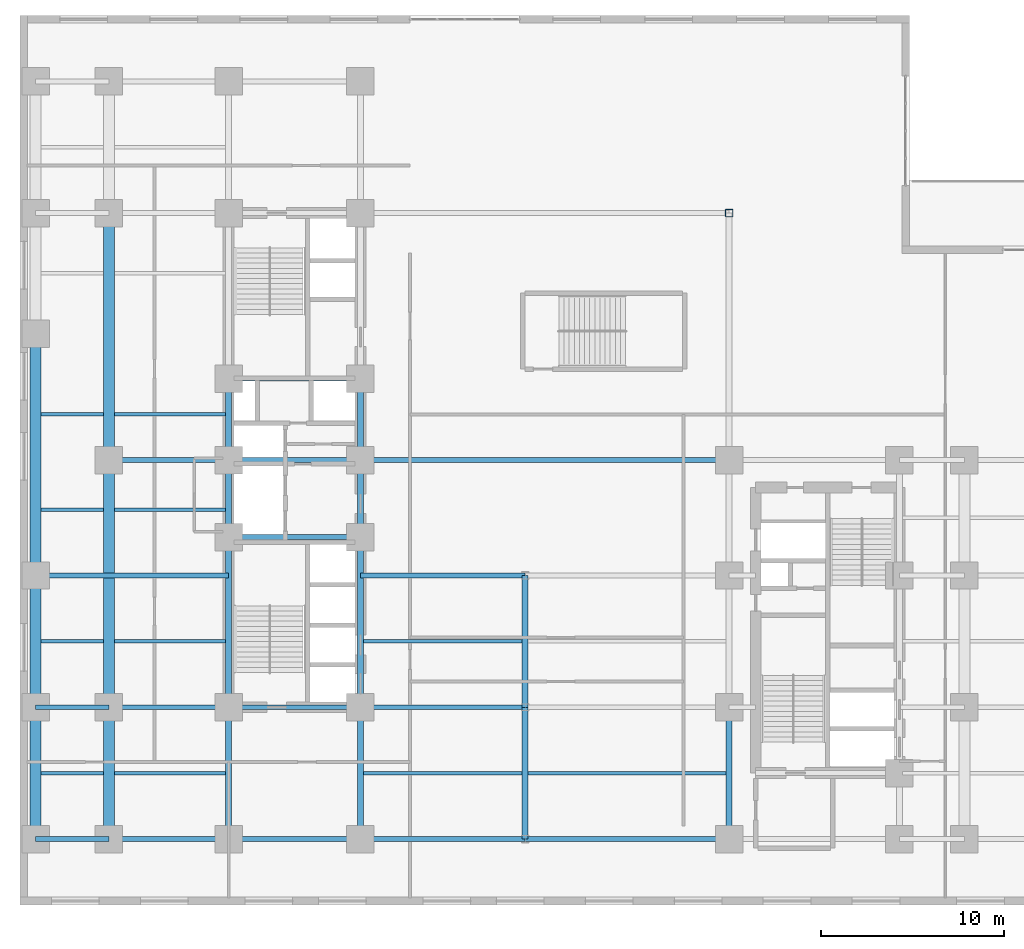
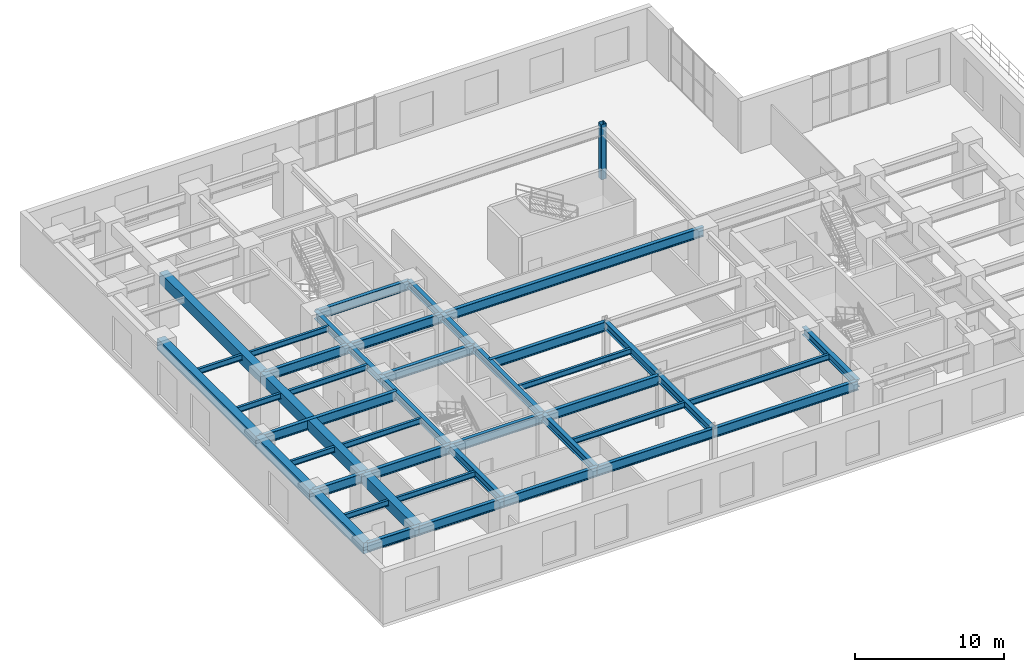
# One storey, part 2 of 15: 44 beams, 1 column.
"""IFC4 building model written with IfcOpenShell, lengths in metres."""

from ifc_helpers import new_model, entity, si_unit, converted_unit, direction, frame, origin_with_axes, origin_2d_with_axis, place, context, subcontext, project, spatial, rectangle, hollow_rectangle, i_section, extrude, material, material_profile, profile_set, type_object, element, save


model = new_model("IFC4")

# Units and contexts
model_context = context("Model", 3, precision=1e-05, world=origin_with_axes(), true_north=direction((0.0, 1.0)))
body_context = subcontext(model_context, "Body", "Model", "MODEL_VIEW")
ifc_project = project(units=[si_unit("LENGTHUNIT", "METRE"), si_unit("AREAUNIT", "SQUARE_METRE"), si_unit("VOLUMEUNIT", "CUBIC_METRE"), converted_unit("PLANEANGLEUNIT", "DEGREE", entity("IfcPlaneAngleMeasure", 0.017453292519943295), si_unit("PLANEANGLEUNIT", "RADIAN"), dimensions=[0, 0, 0, 0, 0, 0, 0]), si_unit("MASSUNIT", "GRAM", prefix="KILO"), si_unit("THERMODYNAMICTEMPERATUREUNIT", "KELVIN")], contexts=[model_context])

# Site, building, storey
site_placement = place(None, origin_with_axes())
site = spatial("IfcSite", under=ifc_project, at=site_placement, CompositionType="ELEMENT")
building_placement = place(site_placement, origin_with_axes())
building = spatial("IfcBuilding", under=site, at=building_placement, Name="Varnlund Millrace Tower", CompositionType="ELEMENT")
storey_placement = place(building_placement, frame((0.0, 0.0, 19.8), z_axis=(0.0, 0.0, 1.0), x_axis=(1.0, 0.0, 0.0)))
storey = spatial("IfcBuildingStorey", under=building, at=storey_placement, Name="L04", CompositionType="ELEMENT", Elevation=19.8)

# Column
ifc_material_1 = material(Name="Steel ASTM A500 Grade C", Category="steel")
ifc_material_profile_1 = material_profile(ifc_material_1, hollow_rectangle(XDim=0.406, YDim=0.406, WallThickness=0.0147, InnerFilletRadius=0.015, OuterFilletRadius=0.03, at=origin_2d_with_axis()), Name="Steel ASTM A500 Grade C")
ifc_profile_set_1 = profile_set([ifc_material_profile_1], Name="Steel ASTM A500 Grade C")
column_type = type_object("IfcColumnType", Name="Type-Col-Int-HSS16", PredefinedType="COLUMN", material=ifc_profile_set_1)
column_placement = place(storey_placement, frame((38.75, 37.8, 0.0), z_axis=(0.0, 0.0, 1.0), x_axis=(1.0, 0.0, 0.0)))
element("IfcColumn", 1, at=column_placement, inside=storey, type_object=column_type, Name="Type-Col-Int-HSS16", PredefinedType="COLUMN", context=body_context, shape_type="SweptSolid", body=[
    extrude(hollow_rectangle(XDim=0.406, YDim=0.406, WallThickness=0.0147, InnerFilletRadius=0.015, OuterFilletRadius=0.03, at=origin_2d_with_axis()), origin_with_axes(), (0.0, 0.0, 1.0), 4.5),
])

# Beams
ifc_material_2 = material(Name="Steel ASTM A992 Grade 50", Category="steel")
ifc_material_profile_2 = material_profile(ifc_material_2, i_section(OverallWidth=0.328, OverallDepth=0.628, WebThickness=0.0165, FlangeThickness=0.0277, FilletRadius=0.018, at=origin_2d_with_axis()), Name="Steel ASTM A992 Grade 50")
ifc_profile_set_2 = profile_set([ifc_material_profile_2], Name="Steel ASTM A992 Grade 50")
beam_type_1 = type_object("IfcBeamType", Name="Type-Girder-W24X146", PredefinedType="USERDEFINED", material=ifc_profile_set_2)
beam_1_placement = place(storey_placement, frame((11.4, 3.6, 3.946), z_axis=(0.0, 1.0, 0.0), x_axis=(-1.0, 0.0, 0.0)))
element("IfcBeam", 2, at=beam_1_placement, inside=storey, type_object=beam_type_1, Name="Type-Girder-W24X146", ObjectType="GIRDER", PredefinedType="USERDEFINED", context=body_context, shape_type="SweptSolid", body=[
    extrude(i_section(OverallWidth=0.328, OverallDepth=0.628, WebThickness=0.0165, FlangeThickness=0.0277, FilletRadius=0.018, at=origin_2d_with_axis()), origin_with_axes(), (0.0, 0.0, 1.0), 7.2),
])
beam_2_placement = place(storey_placement, frame((11.4, 10.8, 3.946), z_axis=(0.0, 1.0, 0.0), x_axis=(-1.0, 0.0, 0.0)))
element("IfcBeam", 3, at=beam_2_placement, inside=storey, type_object=beam_type_1, Name="Type-Girder-W24X146", ObjectType="GIRDER", PredefinedType="USERDEFINED", context=body_context, shape_type="SweptSolid", body=[
    extrude(i_section(OverallWidth=0.328, OverallDepth=0.628, WebThickness=0.0165, FlangeThickness=0.0277, FilletRadius=0.018, at=origin_2d_with_axis()), origin_with_axes(), (0.0, 0.0, 1.0), 9.3),
])
beam_3_placement = place(storey_placement, frame((11.4, 20.1, 3.946), z_axis=(0.0, 1.0, 0.0), x_axis=(-1.0, 0.0, 0.0)))
element("IfcBeam", 4, at=beam_3_placement, inside=storey, type_object=beam_type_1, Name="Type-Girder-W24X146", ObjectType="GIRDER", PredefinedType="USERDEFINED", context=body_context, shape_type="SweptSolid", body=[
    extrude(i_section(OverallWidth=0.328, OverallDepth=0.628, WebThickness=0.0165, FlangeThickness=0.0277, FilletRadius=0.018, at=origin_2d_with_axis()), origin_with_axes(), (0.0, 0.0, 1.0), 4.2),
])
beam_4_placement = place(storey_placement, frame((11.4, 24.3, 3.946), z_axis=(0.0, 1.0, 0.0), x_axis=(-1.0, 0.0, 0.0)))
element("IfcBeam", 5, at=beam_4_placement, inside=storey, type_object=beam_type_1, Name="Type-Girder-W24X146", ObjectType="GIRDER", PredefinedType="USERDEFINED", context=body_context, shape_type="SweptSolid", body=[
    extrude(i_section(OverallWidth=0.328, OverallDepth=0.628, WebThickness=0.0165, FlangeThickness=0.0277, FilletRadius=0.018, at=origin_2d_with_axis()), origin_with_axes(), (0.0, 0.0, 1.0), 4.45),
])
beam_5_placement = place(storey_placement, frame((18.6, 3.6, 3.946), z_axis=(0.0, 1.0, 0.0), x_axis=(-1.0, 0.0, 0.0)))
element("IfcBeam", 6, at=beam_5_placement, inside=storey, type_object=beam_type_1, Name="Type-Girder-W24X146", ObjectType="GIRDER", PredefinedType="USERDEFINED", context=body_context, shape_type="SweptSolid", body=[
    extrude(i_section(OverallWidth=0.328, OverallDepth=0.628, WebThickness=0.0165, FlangeThickness=0.0277, FilletRadius=0.018, at=origin_2d_with_axis()), origin_with_axes(), (0.0, 0.0, 1.0), 7.2),
])
beam_6_placement = place(storey_placement, frame((18.6, 10.8, 3.946), z_axis=(0.0, 1.0, 0.0), x_axis=(-1.0, 0.0, 0.0)))
element("IfcBeam", 7, at=beam_6_placement, inside=storey, type_object=beam_type_1, Name="Type-Girder-W24X146", ObjectType="GIRDER", PredefinedType="USERDEFINED", context=body_context, shape_type="SweptSolid", body=[
    extrude(i_section(OverallWidth=0.328, OverallDepth=0.628, WebThickness=0.0165, FlangeThickness=0.0277, FilletRadius=0.018, at=origin_2d_with_axis()), origin_with_axes(), (0.0, 0.0, 1.0), 9.3),
])
beam_7_placement = place(storey_placement, frame((18.6, 20.1, 3.946), z_axis=(0.0, 1.0, 0.0), x_axis=(-1.0, 0.0, 0.0)))
element("IfcBeam", 8, at=beam_7_placement, inside=storey, type_object=beam_type_1, Name="Type-Girder-W24X146", ObjectType="GIRDER", PredefinedType="USERDEFINED", context=body_context, shape_type="SweptSolid", body=[
    extrude(i_section(OverallWidth=0.328, OverallDepth=0.628, WebThickness=0.0165, FlangeThickness=0.0277, FilletRadius=0.018, at=origin_2d_with_axis()), origin_with_axes(), (0.0, 0.0, 1.0), 4.2),
])
beam_8_placement = place(storey_placement, frame((18.6, 24.3, 3.946), z_axis=(0.0, 1.0, 0.0), x_axis=(-1.0, 0.0, 0.0)))
element("IfcBeam", 9, at=beam_8_placement, inside=storey, type_object=beam_type_1, Name="Type-Girder-W24X146", ObjectType="GIRDER", PredefinedType="USERDEFINED", context=body_context, shape_type="SweptSolid", body=[
    extrude(i_section(OverallWidth=0.328, OverallDepth=0.628, WebThickness=0.0165, FlangeThickness=0.0277, FilletRadius=0.018, at=origin_2d_with_axis()), origin_with_axes(), (0.0, 0.0, 1.0), 4.45),
])
for number, where, z_axis, x_axis, name in (
    (10, (27.6, 3.6, 3.946), (0.0, 1.0, 0.0), (-1.0, 0.0, 0.0), "Type-Girder-W24X146"),
    (11, (27.6, 10.8, 3.946), (0.0, 1.0, 0.0), (-1.0, 0.0, 0.0), "Type-Girder-W24X146"),
    (12, (38.75, 3.6, 3.946), (0.0, 1.0, 0.0), (-1.0, 0.0, 0.0), "Type-Girder-W24X146"),
):
    element("IfcBeam", number, at=place(storey_placement, frame(where, z_axis=z_axis, x_axis=x_axis)), inside=storey, type_object=beam_type_1, Name=name, ObjectType="GIRDER", PredefinedType="USERDEFINED", context=body_context, shape_type="SweptSolid", body=[
        extrude(i_section(OverallWidth=0.328, OverallDepth=0.628, WebThickness=0.0165, FlangeThickness=0.0277, FilletRadius=0.018, at=origin_2d_with_axis()), origin_with_axes(), (0.0, 0.0, 1.0), 7.2),
    ])
ifc_material_profile_3 = material_profile(ifc_material_2, i_section(OverallWidth=0.266, OverallDepth=0.779, WebThickness=0.0165, FlangeThickness=0.03, FilletRadius=0.02, at=origin_2d_with_axis()), Name="Steel ASTM A992 Grade 50")
ifc_profile_set_3 = profile_set([ifc_material_profile_3], Name="Steel ASTM A992 Grade 50")
beam_type_2 = type_object("IfcBeamType", Name="Type-Girder-W30X148", PredefinedType="USERDEFINED", material=ifc_profile_set_3)
beam_9_placement = place(storey_placement, frame((0.85, 3.6, 3.8705), z_axis=(1.0, 0.0, 0.0), x_axis=(0.0, 1.0, 0.0)))
element("IfcBeam", 13, at=beam_9_placement, inside=storey, type_object=beam_type_2, Name="Type-Girder-W30X148", ObjectType="GIRDER", PredefinedType="USERDEFINED", context=body_context, shape_type="SweptSolid", body=[
    extrude(i_section(OverallWidth=0.266, OverallDepth=0.779, WebThickness=0.0165, FlangeThickness=0.03, FilletRadius=0.02, at=origin_2d_with_axis()), origin_with_axes(), (0.0, 0.0, 1.0), 4.0),
])
beam_10_placement = place(storey_placement, frame((4.85, 3.6, 3.8705), z_axis=(1.0, 0.0, 0.0), x_axis=(0.0, 1.0, 0.0)))
element("IfcBeam", 14, at=beam_10_placement, inside=storey, type_object=beam_type_2, Name="Type-Girder-W30X148", ObjectType="GIRDER", PredefinedType="USERDEFINED", context=body_context, shape_type="SweptSolid", body=[
    extrude(i_section(OverallWidth=0.266, OverallDepth=0.779, WebThickness=0.0165, FlangeThickness=0.03, FilletRadius=0.02, at=origin_2d_with_axis()), origin_with_axes(), (0.0, 0.0, 1.0), 6.55),
])
beam_11_placement = place(storey_placement, frame((11.4, 3.6, 3.8705), z_axis=(1.0, 0.0, 0.0), x_axis=(0.0, 1.0, 0.0)))
element("IfcBeam", 15, at=beam_11_placement, inside=storey, type_object=beam_type_2, Name="Type-Girder-W30X148", ObjectType="GIRDER", PredefinedType="USERDEFINED", context=body_context, shape_type="SweptSolid", body=[
    extrude(i_section(OverallWidth=0.266, OverallDepth=0.779, WebThickness=0.0165, FlangeThickness=0.03, FilletRadius=0.02, at=origin_2d_with_axis()), origin_with_axes(), (0.0, 0.0, 1.0), 7.2),
])
beam_12_placement = place(storey_placement, frame((18.6, 3.6, 3.8705), z_axis=(1.0, 0.0, 0.0), x_axis=(0.0, 1.0, 0.0)))
element("IfcBeam", 16, at=beam_12_placement, inside=storey, type_object=beam_type_2, Name="Type-Girder-W30X148", ObjectType="GIRDER", PredefinedType="USERDEFINED", context=body_context, shape_type="SweptSolid", body=[
    extrude(i_section(OverallWidth=0.266, OverallDepth=0.779, WebThickness=0.0165, FlangeThickness=0.03, FilletRadius=0.02, at=origin_2d_with_axis()), origin_with_axes(), (0.0, 0.0, 1.0), 9.0),
])
beam_13_placement = place(storey_placement, frame((27.6, 3.6, 3.8705), z_axis=(1.0, 0.0, 0.0), x_axis=(0.0, 1.0, 0.0)))
element("IfcBeam", 17, at=beam_13_placement, inside=storey, type_object=beam_type_2, Name="Type-Girder-W30X148", ObjectType="GIRDER", PredefinedType="USERDEFINED", context=body_context, shape_type="SweptSolid", body=[
    extrude(i_section(OverallWidth=0.266, OverallDepth=0.779, WebThickness=0.0165, FlangeThickness=0.03, FilletRadius=0.02, at=origin_2d_with_axis()), origin_with_axes(), (0.0, 0.0, 1.0), 11.15),
])
beam_14_placement = place(storey_placement, frame((0.85, 10.8, 3.8705), z_axis=(1.0, 0.0, 0.0), x_axis=(0.0, 1.0, 0.0)))
element("IfcBeam", 18, at=beam_14_placement, inside=storey, type_object=beam_type_2, Name="Type-Girder-W30X148", ObjectType="GIRDER", PredefinedType="USERDEFINED", context=body_context, shape_type="SweptSolid", body=[
    extrude(i_section(OverallWidth=0.266, OverallDepth=0.779, WebThickness=0.0165, FlangeThickness=0.03, FilletRadius=0.02, at=origin_2d_with_axis()), origin_with_axes(), (0.0, 0.0, 1.0), 4.0),
])
beam_15_placement = place(storey_placement, frame((4.85, 10.8, 3.8705), z_axis=(1.0, 0.0, 0.0), x_axis=(0.0, 1.0, 0.0)))
element("IfcBeam", 19, at=beam_15_placement, inside=storey, type_object=beam_type_2, Name="Type-Girder-W30X148", ObjectType="GIRDER", PredefinedType="USERDEFINED", context=body_context, shape_type="SweptSolid", body=[
    extrude(i_section(OverallWidth=0.266, OverallDepth=0.779, WebThickness=0.0165, FlangeThickness=0.03, FilletRadius=0.02, at=origin_2d_with_axis()), origin_with_axes(), (0.0, 0.0, 1.0), 6.55),
])
beam_16_placement = place(storey_placement, frame((11.4, 10.8, 3.8705), z_axis=(1.0, 0.0, 0.0), x_axis=(0.0, 1.0, 0.0)))
element("IfcBeam", 20, at=beam_16_placement, inside=storey, type_object=beam_type_2, Name="Type-Girder-W30X148", ObjectType="GIRDER", PredefinedType="USERDEFINED", context=body_context, shape_type="SweptSolid", body=[
    extrude(i_section(OverallWidth=0.266, OverallDepth=0.779, WebThickness=0.0165, FlangeThickness=0.03, FilletRadius=0.02, at=origin_2d_with_axis()), origin_with_axes(), (0.0, 0.0, 1.0), 7.2),
])
beam_17_placement = place(storey_placement, frame((18.6, 10.8, 3.8705), z_axis=(1.0, 0.0, 0.0), x_axis=(0.0, 1.0, 0.0)))
element("IfcBeam", 21, at=beam_17_placement, inside=storey, type_object=beam_type_2, Name="Type-Girder-W30X148", ObjectType="GIRDER", PredefinedType="USERDEFINED", context=body_context, shape_type="SweptSolid", body=[
    extrude(i_section(OverallWidth=0.266, OverallDepth=0.779, WebThickness=0.0165, FlangeThickness=0.03, FilletRadius=0.02, at=origin_2d_with_axis()), origin_with_axes(), (0.0, 0.0, 1.0), 9.0),
])
beam_18_placement = place(storey_placement, frame((0.85, 18.0, 3.8705), z_axis=(1.0, 0.0, 0.0), x_axis=(0.0, 1.0, 0.0)))
element("IfcBeam", 22, at=beam_18_placement, inside=storey, type_object=beam_type_2, Name="Type-Girder-W30X148", ObjectType="GIRDER", PredefinedType="USERDEFINED", context=body_context, shape_type="SweptSolid", body=[
    extrude(i_section(OverallWidth=0.266, OverallDepth=0.779, WebThickness=0.0165, FlangeThickness=0.03, FilletRadius=0.02, at=origin_2d_with_axis()), origin_with_axes(), (0.0, 0.0, 1.0), 10.55),
])
beam_19_placement = place(storey_placement, frame((18.6, 18.0, 3.8705), z_axis=(1.0, 0.0, 0.0), x_axis=(0.0, 1.0, 0.0)))
element("IfcBeam", 23, at=beam_19_placement, inside=storey, type_object=beam_type_2, Name="Type-Girder-W30X148", ObjectType="GIRDER", PredefinedType="USERDEFINED", context=body_context, shape_type="SweptSolid", body=[
    extrude(i_section(OverallWidth=0.266, OverallDepth=0.779, WebThickness=0.0165, FlangeThickness=0.03, FilletRadius=0.02, at=origin_2d_with_axis()), origin_with_axes(), (0.0, 0.0, 1.0), 9.0),
])
beam_20_placement = place(storey_placement, frame((11.4, 20.1, 3.8705), z_axis=(1.0, 0.0, 0.0), x_axis=(0.0, 1.0, 0.0)))
element("IfcBeam", 24, at=beam_20_placement, inside=storey, type_object=beam_type_2, Name="Type-Girder-W30X148", ObjectType="GIRDER", PredefinedType="USERDEFINED", context=body_context, shape_type="SweptSolid", body=[
    extrude(i_section(OverallWidth=0.266, OverallDepth=0.779, WebThickness=0.0165, FlangeThickness=0.03, FilletRadius=0.02, at=origin_2d_with_axis()), origin_with_axes(), (0.0, 0.0, 1.0), 7.2),
])
beam_21_placement = place(storey_placement, frame((4.85, 24.3, 3.8705), z_axis=(1.0, 0.0, 0.0), x_axis=(0.0, 1.0, 0.0)))
element("IfcBeam", 25, at=beam_21_placement, inside=storey, type_object=beam_type_2, Name="Type-Girder-W30X148", ObjectType="GIRDER", PredefinedType="USERDEFINED", context=body_context, shape_type="SweptSolid", body=[
    extrude(i_section(OverallWidth=0.266, OverallDepth=0.779, WebThickness=0.0165, FlangeThickness=0.03, FilletRadius=0.02, at=origin_2d_with_axis()), origin_with_axes(), (0.0, 0.0, 1.0), 6.55),
])
beam_22_placement = place(storey_placement, frame((11.4, 24.3, 3.8705), z_axis=(1.0, 0.0, 0.0), x_axis=(0.0, 1.0, 0.0)))
element("IfcBeam", 26, at=beam_22_placement, inside=storey, type_object=beam_type_2, Name="Type-Girder-W30X148", ObjectType="GIRDER", PredefinedType="USERDEFINED", context=body_context, shape_type="SweptSolid", body=[
    extrude(i_section(OverallWidth=0.266, OverallDepth=0.779, WebThickness=0.0165, FlangeThickness=0.03, FilletRadius=0.02, at=origin_2d_with_axis()), origin_with_axes(), (0.0, 0.0, 1.0), 7.2),
])
beam_23_placement = place(storey_placement, frame((18.6, 24.3, 3.8705), z_axis=(1.0, 0.0, 0.0), x_axis=(0.0, 1.0, 0.0)))
element("IfcBeam", 27, at=beam_23_placement, inside=storey, type_object=beam_type_2, Name="Type-Girder-W30X148", ObjectType="GIRDER", PredefinedType="USERDEFINED", context=body_context, shape_type="SweptSolid", body=[
    extrude(i_section(OverallWidth=0.266, OverallDepth=0.779, WebThickness=0.0165, FlangeThickness=0.03, FilletRadius=0.02, at=origin_2d_with_axis()), origin_with_axes(), (0.0, 0.0, 1.0), 20.15),
])
beam_24_placement = place(storey_placement, frame((11.4, 28.75, 3.8705), z_axis=(1.0, 0.0, 0.0), x_axis=(0.0, 1.0, 0.0)))
element("IfcBeam", 28, at=beam_24_placement, inside=storey, type_object=beam_type_2, Name="Type-Girder-W30X148", ObjectType="GIRDER", PredefinedType="USERDEFINED", context=body_context, shape_type="SweptSolid", body=[
    extrude(i_section(OverallWidth=0.266, OverallDepth=0.779, WebThickness=0.0165, FlangeThickness=0.03, FilletRadius=0.02, at=origin_2d_with_axis()), origin_with_axes(), (0.0, 0.0, 1.0), 7.2),
])
ifc_material_profile_4 = material_profile(ifc_material_2, i_section(OverallWidth=0.191, OverallDepth=0.457, WebThickness=0.009, FlangeThickness=0.0145, FilletRadius=0.013, at=origin_2d_with_axis()), Name="Steel ASTM A992 Grade 50")
ifc_profile_set_4 = profile_set([ifc_material_profile_4], Name="Steel ASTM A992 Grade 50")
beam_type_3 = type_object("IfcBeamType", Name="Type-Joist-W18X50", PredefinedType="JOIST", material=ifc_profile_set_4)
for number, where, z_axis, x_axis, name in (
    (29, (1.15, 7.2, 4.0315), (1.0, 0.0, 0.0), (0.0, 1.0, 0.0), "Type-Joist-W18X50"),
    (30, (1.15, 14.4, 4.0315), (1.0, 0.0, 0.0), (0.0, 1.0, 0.0), "Type-Joist-W18X50"),
    (31, (1.15, 21.6, 4.0315), (1.0, 0.0, 0.0), (0.0, 1.0, 0.0), "Type-Joist-W18X50"),
    (32, (1.15, 26.8, 4.0315), (1.0, 0.0, 0.0), (0.0, 1.0, 0.0), "Type-Joist-W18X50"),
):
    element("IfcBeam", number, at=place(storey_placement, frame(where, z_axis=z_axis, x_axis=x_axis)), inside=storey, type_object=beam_type_3, Name=name, PredefinedType="JOIST", context=body_context, shape_type="SweptSolid", body=[
        extrude(i_section(OverallWidth=0.191, OverallDepth=0.457, WebThickness=0.009, FlangeThickness=0.0145, FilletRadius=0.013, at=origin_2d_with_axis()), origin_with_axes(), (0.0, 0.0, 1.0), 3.4),
    ])
for number, where, z_axis, x_axis, name in (
    (33, (5.15, 7.2, 4.0315), (1.0, 0.0, 0.0), (0.0, 1.0, 0.0), "Type-Joist-W18X50"),
    (34, (5.15, 14.4, 4.0315), (1.0, 0.0, 0.0), (0.0, 1.0, 0.0), "Type-Joist-W18X50"),
    (35, (5.15, 21.6, 4.0315), (1.0, 0.0, 0.0), (0.0, 1.0, 0.0), "Type-Joist-W18X50"),
    (36, (5.15, 26.8, 4.0315), (1.0, 0.0, 0.0), (0.0, 1.0, 0.0), "Type-Joist-W18X50"),
):
    element("IfcBeam", number, at=place(storey_placement, frame(where, z_axis=z_axis, x_axis=x_axis)), inside=storey, type_object=beam_type_3, Name=name, PredefinedType="JOIST", context=body_context, shape_type="SweptSolid", body=[
        extrude(i_section(OverallWidth=0.191, OverallDepth=0.457, WebThickness=0.009, FlangeThickness=0.0145, FilletRadius=0.013, at=origin_2d_with_axis()), origin_with_axes(), (0.0, 0.0, 1.0), 6.086),
    ])
for number, where, z_axis, x_axis, name in (
    (37, (18.764, 7.2, 4.0315), (1.0, 0.0, 0.0), (0.0, 1.0, 0.0), "Type-Joist-W18X50"),
    (38, (18.764, 14.4, 4.0315), (1.0, 0.0, 0.0), (0.0, 1.0, 0.0), "Type-Joist-W18X50"),
):
    element("IfcBeam", number, at=place(storey_placement, frame(where, z_axis=z_axis, x_axis=x_axis)), inside=storey, type_object=beam_type_3, Name=name, PredefinedType="JOIST", context=body_context, shape_type="SweptSolid", body=[
        extrude(i_section(OverallWidth=0.191, OverallDepth=0.457, WebThickness=0.009, FlangeThickness=0.0145, FilletRadius=0.013, at=origin_2d_with_axis()), origin_with_axes(), (0.0, 0.0, 1.0), 8.672),
    ])
beam_25_placement = place(storey_placement, frame((27.764, 7.2, 4.0315), z_axis=(1.0, 0.0, 0.0), x_axis=(0.0, 1.0, 0.0)))
element("IfcBeam", 39, at=beam_25_placement, inside=storey, type_object=beam_type_3, Name="Type-Joist-W18X50", PredefinedType="JOIST", context=body_context, shape_type="SweptSolid", body=[
    extrude(i_section(OverallWidth=0.191, OverallDepth=0.457, WebThickness=0.009, FlangeThickness=0.0145, FilletRadius=0.013, at=origin_2d_with_axis()), origin_with_axes(), (0.0, 0.0, 1.0), 10.822),
])
ifc_material_3 = material(Name="Concrete C70/85", Category="concrete")
ifc_material_profile_5 = material_profile(ifc_material_3, rectangle(XDim=0.6, YDim=0.9, at=origin_2d_with_axis()), Name="Concrete C70/85")
ifc_profile_set_5 = profile_set([ifc_material_profile_5], Name="Concrete C70/85")
beam_type_4 = type_object("IfcBeamType", Name="Type-Spandrel-RC600X900", PredefinedType="SPANDREL", material=ifc_profile_set_5)
for number, where, z_axis, x_axis, name in (
    (40, (0.85, 3.6, 3.81), (0.0, 1.0, 0.0), (-1.0, 0.0, 0.0), "Type-Spandrel-RC600X900"),
    (41, (0.85, 10.8, 3.81), (0.0, 1.0, 0.0), (-1.0, 0.0, 0.0), "Type-Spandrel-RC600X900"),
):
    element("IfcBeam", number, at=place(storey_placement, frame(where, z_axis=z_axis, x_axis=x_axis)), inside=storey, type_object=beam_type_4, Name=name, PredefinedType="SPANDREL", context=body_context, shape_type="SweptSolid", body=[
        extrude(rectangle(XDim=0.6, YDim=0.9, at=origin_2d_with_axis()), origin_with_axes(), (0.0, 0.0, 1.0), 7.2),
    ])
beam_26_placement = place(storey_placement, frame((0.85, 18.0, 3.81), z_axis=(0.0, 1.0, 0.0), x_axis=(-1.0, 0.0, 0.0)))
element("IfcBeam", 42, at=beam_26_placement, inside=storey, type_object=beam_type_4, Name="Type-Spandrel-RC600X900", PredefinedType="SPANDREL", context=body_context, shape_type="SweptSolid", body=[
    extrude(rectangle(XDim=0.6, YDim=0.9, at=origin_2d_with_axis()), origin_with_axes(), (0.0, 0.0, 1.0), 13.2),
])
beam_27_placement = place(storey_placement, frame((4.85, 3.6, 3.81), z_axis=(0.0, 1.0, 0.0), x_axis=(-1.0, 0.0, 0.0)))
element("IfcBeam", 43, at=beam_27_placement, inside=storey, type_object=beam_type_4, Name="Type-Spandrel-RC600X900", PredefinedType="SPANDREL", context=body_context, shape_type="SweptSolid", body=[
    extrude(rectangle(XDim=0.6, YDim=0.9, at=origin_2d_with_axis()), origin_with_axes(), (0.0, 0.0, 1.0), 7.2),
])
for number, where, z_axis, x_axis, name in (
    (44, (4.85, 10.8, 3.81), (0.0, 1.0, 0.0), (-1.0, 0.0, 0.0), "Type-Spandrel-RC600X900"),
    (45, (4.85, 24.3, 3.81), (0.0, 1.0, 0.0), (-1.0, 0.0, 0.0), "Type-Spandrel-RC600X900"),
):
    element("IfcBeam", number, at=place(storey_placement, frame(where, z_axis=z_axis, x_axis=x_axis)), inside=storey, type_object=beam_type_4, Name=name, PredefinedType="SPANDREL", context=body_context, shape_type="SweptSolid", body=[
        extrude(rectangle(XDim=0.6, YDim=0.9, at=origin_2d_with_axis()), origin_with_axes(), (0.0, 0.0, 1.0), 13.5),
    ])

save(model, "model.ifc")
